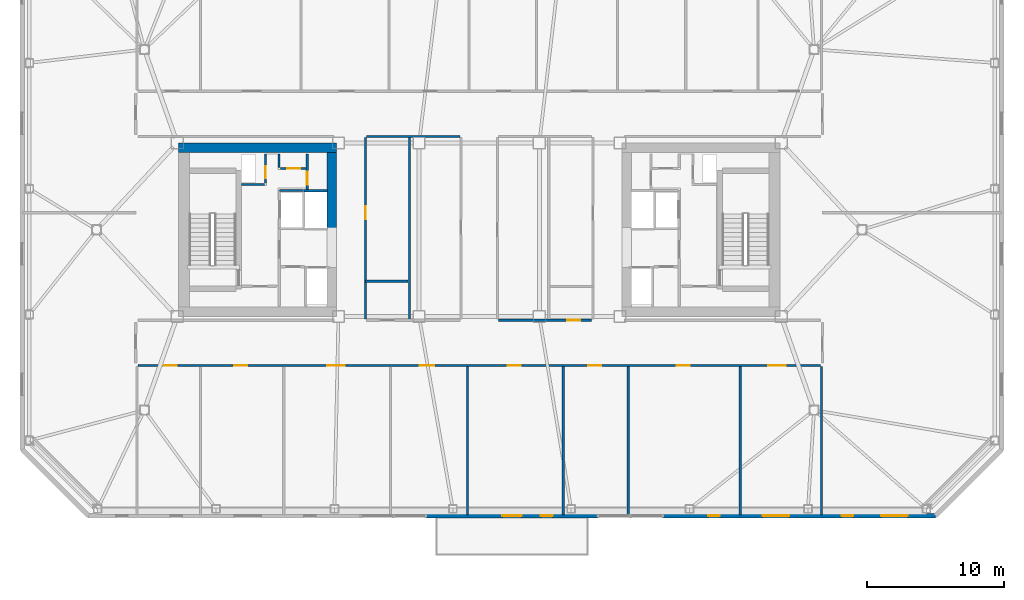
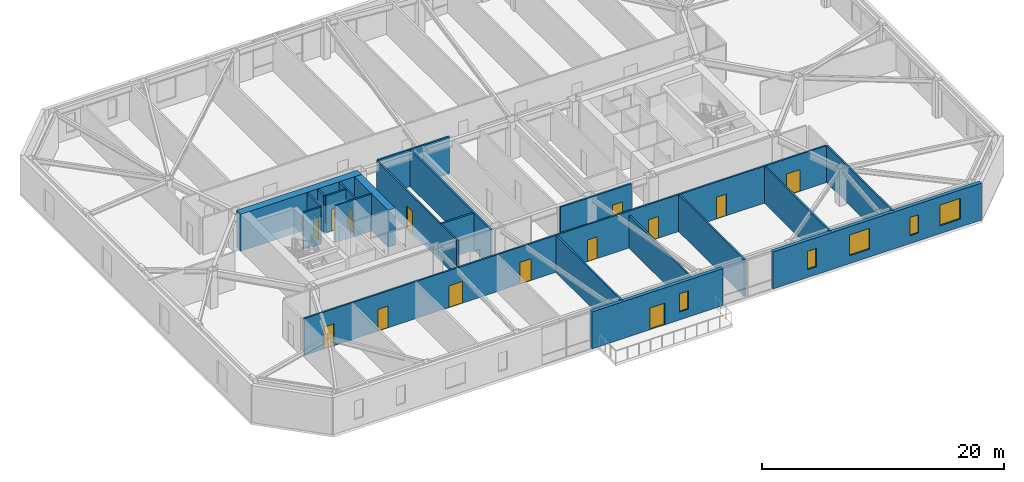
# One storey, part 11 of 19: 22 walls, 14 doors, 5 windows, 19 openings.
"""IFC4 building model written with IfcOpenShell, lengths in metres."""

from ifc_helpers import new_model, si_unit, direction, frame, frame_2d, origin, place, context, subcontext, project, spatial, rectangle, extrude, material, layer, layer_set, type_object, element, fill, save


model = new_model("IFC4")

# Units and contexts
model_context = context("Model", 3, precision=1e-05, world=origin(), true_north=direction((0.0, 1.0)))
body_context = subcontext(model_context, "Body", "Model", "MODEL_VIEW")
ifc_project = project(units=[si_unit("LENGTHUNIT", "METRE"), si_unit("AREAUNIT", "SQUARE_METRE"), si_unit("VOLUMEUNIT", "CUBIC_METRE"), si_unit("PLANEANGLEUNIT", "RADIAN"), si_unit("MASSUNIT", "GRAM", prefix="KILO")], contexts=[model_context])

# Site, building, storey
site_placement = place(None, origin())
site = spatial("IfcSite", under=ifc_project, at=site_placement, CompositionType="ELEMENT")
building_placement = place(site_placement, origin())
building = spatial("IfcBuilding", under=site, at=building_placement, Name="Tavrogorsk Clinical Tower", CompositionType="ELEMENT")
storey_placement = place(building_placement, frame((0.0, 0.0, 188.199951171875)))
storey = spatial("IfcBuildingStorey", under=building, at=storey_placement, Name="L43", CompositionType="ELEMENT", Elevation=188.199951171875)

# Wall, opening, door
ifc_material_1 = material(Name="Lightweight concrete blockwork B15", Category="masonry")
ifc_layer_1 = layer(ifc_material_1, 0.159912109375)
ifc_layer_set_1 = layer_set([ifc_layer_1], Name="Lightweight concrete blockwork B15")
wall_type_1 = type_object("IfcWallType", Name="PartitionWall_160", PredefinedType="PARTITIONING", material=ifc_layer_set_1)
wall_1_placement = place(storey_placement, frame((-12.580078125, 2.9599609375, 0.0), z_axis=(0.0, 0.0, 1.0), x_axis=(0.0, 1.0, 0.0)))
wall_1 = element("IfcWall", 1, at=wall_1_placement, inside=storey, type_object=wall_type_1, Name="L43 Core West Linen Closet Wall", PredefinedType="PARTITIONING", context=body_context, shape_type="SweptSolid", body=[
    extrude(rectangle(XDim=2.60009765625, YDim=0.159912109375, at=frame_2d((1.300048828125, 0.0))), origin(), (0.0, 0.0, 1.0), 3.739990234375),
])
opening_1_placement = place(wall_1_placement, frame((0.35009765625, 0.0, 0.0)))
opening_1 = element("IfcOpeningElement", 2, at=opening_1_placement, cuts=wall_1, Name="Opening ID-02", PredefinedType="OPENING", context=body_context, shape_type="SweptSolid", body=[
    extrude(rectangle(XDim=0.949951171875, YDim=2.199951171875, at=frame_2d((0.47509765625, 1.10009765625))), frame((0.0, 0.08984375, 0.0), z_axis=(0.0, -1.0, 0.0), x_axis=(1.0, 0.0, 0.0)), (0.0, 0.0, 1.0), 0.179931640625),
])
ifc_material_2 = material(Name="Laminated timber leaf on aluminium frame", Category="wood")
door_type_1 = type_object("IfcDoorType", Name="InteriorDoor_ID02_950", OperationType="NOTDEFINED", PredefinedType="DOOR", material=ifc_material_2)
door_1_placement = place(opening_1_placement, origin())
door_1 = element("IfcDoor", 3, at=door_1_placement, inside=storey, type_object=door_type_1, Name="L43 Core West Linen Closet Door", OperationType="SINGLE_SWING_RIGHT", OverallHeight=2.199951171875, OverallWidth=0.949951171875, PredefinedType="DOOR", context=body_context, shape_type="SweptSolid", body=[
    extrude(rectangle(XDim=0.949951171875, YDim=2.199951171875, at=frame_2d((0.47509765625, 1.10009765625))), frame((0.0, 0.02490234375, 0.0), z_axis=(0.0, -1.0, 0.0), x_axis=(1.0, 0.0, 0.0)), (0.0, 0.0, 1.0), 0.050048828125),
])
fill(opening_1, door_1)

wall_2_placement = place(storey_placement, frame((-14.554931640625, 4.47998046875, 0.0), z_axis=(0.0, 0.0, 1.0), x_axis=(1.0, 0.0, 0.0)))
wall_2 = element("IfcWall", 4, at=wall_2_placement, inside=storey, type_object=wall_type_1, Name="L43 Core West Housekeeping South Wall", PredefinedType="PARTITIONING", context=body_context, shape_type="SweptSolid", body=[
    extrude(rectangle(XDim=1.889892578125, YDim=0.159912109375, at=frame_2d((0.94482421875, 0.0))), origin(), (0.0, 0.0, 1.0), 3.739990234375),
])
opening_2_placement = place(wall_2_placement, frame((0.5, 0.0, 0.0)))
opening_2 = element("IfcOpeningElement", 5, at=opening_2_placement, cuts=wall_2, Name="Opening ID-02", PredefinedType="OPENING", context=body_context, shape_type="SweptSolid", body=[
    extrude(rectangle(XDim=0.949951171875, YDim=2.199951171875, at=frame_2d((0.47509765625, 1.10009765625))), frame((0.0, 0.08984375, 0.0), z_axis=(0.0, -1.0, 0.0), x_axis=(1.0, 0.0, 0.0)), (0.0, 0.0, 1.0), 0.179931640625),
])
door_2_placement = place(opening_2_placement, origin())
door_2 = element("IfcDoor", 6, at=door_2_placement, inside=storey, type_object=door_type_1, Name="L43 Core West Housekeeping Closet Door", OperationType="SINGLE_SWING_LEFT", OverallHeight=2.199951171875, OverallWidth=0.949951171875, PredefinedType="DOOR", context=body_context, shape_type="SweptSolid", body=[
    extrude(rectangle(XDim=0.949951171875, YDim=2.199951171875, at=frame_2d((0.47509765625, 1.10009765625))), frame((0.0, 0.02490234375, 0.0), z_axis=(0.0, -1.0, 0.0), x_axis=(1.0, 0.0, 0.0)), (0.0, 0.0, 1.0), 0.050048828125),
])
fill(opening_2, door_2)

# Wall
wall_3_placement = place(storey_placement, frame((-14.639892578125, 4.56494140625, 0.0), z_axis=(0.0, 0.0, 1.0), x_axis=(0.0, 1.0, 0.0)))
element("IfcWall", 7, at=wall_3_placement, inside=storey, type_object=wall_type_1, Name="L43 Core West Housekeeping East Wall", PredefinedType="PARTITIONING", context=body_context, shape_type="SweptSolid", body=[
    extrude(rectangle(XDim=0.9951171875, YDim=0.159912109375, at=frame_2d((0.49755859375, 0.0))), origin(), (0.0, 0.0, 1.0), 3.739990234375),
])

# Wall, openings, doors
wall_4_placement = place(storey_placement, frame((24.965087890625, -9.929931640625, 0.0), z_axis=(0.0, 0.0, 1.0), x_axis=(-1.0, 0.0, 0.0)))
wall_4 = element("IfcWall", 8, at=wall_4_placement, inside=storey, type_object=wall_type_1, Name="L43 Corridor Partition 10", PredefinedType="PARTITIONING", context=body_context, shape_type="SweptSolid", body=[
    extrude(rectangle(XDim=49.93017578125, YDim=0.159912109375, at=frame_2d((24.965087890625, 0.0))), origin(), (0.0, 0.0, 1.0), 3.739990234375),
])
opening_3_placement = place(wall_4_placement, frame((47.10595703125, 0.0, 0.0)))
opening_3 = element("IfcOpeningElement", 9, at=opening_3_placement, cuts=wall_4, Name="Opening ID-02", PredefinedType="OPENING", context=body_context, shape_type="SweptSolid", body=[
    extrude(rectangle(XDim=0.949951171875, YDim=2.199951171875, at=frame_2d((0.47509765625, 1.10009765625))), frame((0.0, 0.08984375, 0.0), z_axis=(0.0, -1.0, 0.0), x_axis=(1.0, 0.0, 0.0)), (0.0, 0.0, 1.0), 0.179931640625),
])
opening_4_placement = place(wall_4_placement, frame((41.925048828125, 0.0, 0.0)))
opening_4 = element("IfcOpeningElement", 10, at=opening_4_placement, cuts=wall_4, Name="Opening ID-02", PredefinedType="OPENING", context=body_context, shape_type="SweptSolid", body=[
    extrude(rectangle(XDim=0.949951171875, YDim=2.199951171875, at=frame_2d((0.47509765625, 1.10009765625))), frame((0.0, 0.08984375, 0.0), z_axis=(0.0, -1.0, 0.0), x_axis=(1.0, 0.0, 0.0)), (0.0, 0.0, 1.0), 0.179931640625),
])
opening_5_placement = place(wall_4_placement, frame((34.800048828125, 0.0, 0.0)))
opening_5 = element("IfcOpeningElement", 11, at=opening_5_placement, cuts=wall_4, Name="Opening ID-01", PredefinedType="OPENING", context=body_context, shape_type="SweptSolid", body=[
    extrude(rectangle(XDim=1.300048828125, YDim=2.199951171875, at=frame_2d((0.64990234375, 1.10009765625))), frame((0.0, 0.08984375, 0.0), z_axis=(0.0, -1.0, 0.0), x_axis=(1.0, 0.0, 0.0)), (0.0, 0.0, 1.0), 0.179931640625),
])
opening_6_placement = place(wall_4_placement, frame((28.25, 0.0, 0.0)))
opening_6 = element("IfcOpeningElement", 12, at=opening_6_placement, cuts=wall_4, Name="Opening ID-04", PredefinedType="OPENING", context=body_context, shape_type="SweptSolid", body=[
    extrude(rectangle(XDim=1.050048828125, YDim=2.199951171875, at=frame_2d((0.52490234375, 1.10009765625))), frame((0.0, 0.08984375, 0.0), z_axis=(0.0, -1.0, 0.0), x_axis=(1.0, 0.0, 0.0)), (0.0, 0.0, 1.0), 0.179931640625),
])
opening_7_placement = place(wall_4_placement, frame((21.925048828125, 0.0, 0.0)))
opening_7 = element("IfcOpeningElement", 13, at=opening_7_placement, cuts=wall_4, Name="Opening ID-02", PredefinedType="OPENING", context=body_context, shape_type="SweptSolid", body=[
    extrude(rectangle(XDim=0.949951171875, YDim=2.199951171875, at=frame_2d((0.47509765625, 1.10009765625))), frame((0.0, 0.08984375, 0.0), z_axis=(0.0, -1.0, 0.0), x_axis=(1.0, 0.0, 0.0)), (0.0, 0.0, 1.0), 0.179931640625),
])
opening_8_placement = place(wall_4_placement, frame((16.050048828125, 0.0, 0.0)))
opening_8 = element("IfcOpeningElement", 14, at=opening_8_placement, cuts=wall_4, Name="Opening ID-02", PredefinedType="OPENING", context=body_context, shape_type="SweptSolid", body=[
    extrude(rectangle(XDim=0.949951171875, YDim=2.199951171875, at=frame_2d((0.47509765625, 1.10009765625))), frame((0.0, 0.08984375, 0.0), z_axis=(0.0, -1.0, 0.0), x_axis=(1.0, 0.0, 0.0)), (0.0, 0.0, 1.0), 0.179931640625),
])
opening_9_placement = place(wall_4_placement, frame((9.574951171875, 0.0, 0.0)))
opening_9 = element("IfcOpeningElement", 15, at=opening_9_placement, cuts=wall_4, Name="Opening ID-02", PredefinedType="OPENING", context=body_context, shape_type="SweptSolid", body=[
    extrude(rectangle(XDim=0.949951171875, YDim=2.199951171875, at=frame_2d((0.47509765625, 1.10009765625))), frame((0.0, 0.08984375, 0.0), z_axis=(0.0, -1.0, 0.0), x_axis=(1.0, 0.0, 0.0)), (0.0, 0.0, 1.0), 0.179931640625),
])
opening_10_placement = place(wall_4_placement, frame((2.51904296875, 0.0, 0.0)))
opening_10 = element("IfcOpeningElement", 16, at=opening_10_placement, cuts=wall_4, Name="Opening ID-01", PredefinedType="OPENING", context=body_context, shape_type="SweptSolid", body=[
    extrude(rectangle(XDim=1.300048828125, YDim=2.199951171875, at=frame_2d((0.64990234375, 1.10009765625))), frame((0.0, 0.08984375, 0.0), z_axis=(0.0, -1.0, 0.0), x_axis=(1.0, 0.0, 0.0)), (0.0, 0.0, 1.0), 0.179931640625),
])
ifc_material_3 = material(Name="Antibacterial HPL consultation door on aluminium frame", Category="aluminium")
door_type_2 = type_object("IfcDoorType", Name="ConsultDoor_ID04_1050", OperationType="NOTDEFINED", PredefinedType="DOOR", material=ifc_material_3)
door_3_placement = place(opening_6_placement, origin())
door_3 = element("IfcDoor", 17, at=door_3_placement, inside=storey, type_object=door_type_2, Name="L43 South Clean Medication & Prep Room 04 Door", OperationType="SINGLE_SWING_LEFT", OverallHeight=2.199951171875, OverallWidth=1.050048828125, PredefinedType="DOOR", context=body_context, shape_type="SweptSolid", body=[
    extrude(rectangle(XDim=1.050048828125, YDim=2.199951171875, at=frame_2d((0.52490234375, 1.10009765625))), frame((0.0, 0.02490234375, 0.0), z_axis=(0.0, -1.0, 0.0), x_axis=(1.0, 0.0, 0.0)), (0.0, 0.0, 1.0), 0.050048828125),
])
fill(opening_6, door_3)
door_4_placement = place(opening_3_placement, origin())
door_4 = element("IfcDoor", 18, at=door_4_placement, inside=storey, type_object=door_type_1, Name="L43 South Cardiology Diagnostics Room 01 Door", OperationType="SINGLE_SWING_RIGHT", OverallHeight=2.199951171875, OverallWidth=0.949951171875, PredefinedType="DOOR", context=body_context, shape_type="SweptSolid", body=[
    extrude(rectangle(XDim=0.949951171875, YDim=2.199951171875, at=frame_2d((0.47509765625, 1.10009765625))), frame((0.0, 0.02490234375, 0.0), z_axis=(0.0, -1.0, 0.0), x_axis=(1.0, 0.0, 0.0)), (0.0, 0.0, 1.0), 0.050048828125),
])
fill(opening_3, door_4)
door_5_placement = place(opening_4_placement, origin())
door_5 = element("IfcDoor", 19, at=door_5_placement, inside=storey, type_object=door_type_1, Name="L43 South Attending Physician Office 02 Door", OperationType="SINGLE_SWING_LEFT", OverallHeight=2.199951171875, OverallWidth=0.949951171875, PredefinedType="DOOR", context=body_context, shape_type="SweptSolid", body=[
    extrude(rectangle(XDim=0.949951171875, YDim=2.199951171875, at=frame_2d((0.47509765625, 1.10009765625))), frame((0.0, 0.02490234375, 0.0), z_axis=(0.0, -1.0, 0.0), x_axis=(1.0, 0.0, 0.0)), (0.0, 0.0, 1.0), 0.050048828125),
])
fill(opening_4, door_5)
door_6_placement = place(opening_7_placement, origin())
door_6 = element("IfcDoor", 20, at=door_6_placement, inside=storey, type_object=door_type_1, Name="L43 Terrace Recuperation Day Room & Lounge Door", OperationType="SINGLE_SWING_RIGHT", OverallHeight=2.199951171875, OverallWidth=0.949951171875, PredefinedType="DOOR", context=body_context, shape_type="SweptSolid", body=[
    extrude(rectangle(XDim=0.949951171875, YDim=2.199951171875, at=frame_2d((0.47509765625, 1.10009765625))), frame((0.0, 0.02490234375, 0.0), z_axis=(0.0, -1.0, 0.0), x_axis=(1.0, 0.0, 0.0)), (0.0, 0.0, 1.0), 0.050048828125),
])
fill(opening_7, door_6)
door_7_placement = place(opening_8_placement, origin())
door_7 = element("IfcDoor", 21, at=door_7_placement, inside=storey, type_object=door_type_1, Name="L43 South Cardiology Diagnostics Room 06 Door", OperationType="SINGLE_SWING_LEFT", OverallHeight=2.199951171875, OverallWidth=0.949951171875, PredefinedType="DOOR", context=body_context, shape_type="SweptSolid", body=[
    extrude(rectangle(XDim=0.949951171875, YDim=2.199951171875, at=frame_2d((0.47509765625, 1.10009765625))), frame((0.0, 0.02490234375, 0.0), z_axis=(0.0, -1.0, 0.0), x_axis=(1.0, 0.0, 0.0)), (0.0, 0.0, 1.0), 0.050048828125),
])
fill(opening_8, door_7)
door_8_placement = place(opening_9_placement, origin())
door_8 = element("IfcDoor", 22, at=door_8_placement, inside=storey, type_object=door_type_1, Name="L43 South Attending Physician Office 07 Door", OperationType="SINGLE_SWING_RIGHT", OverallHeight=2.199951171875, OverallWidth=0.949951171875, PredefinedType="DOOR", context=body_context, shape_type="SweptSolid", body=[
    extrude(rectangle(XDim=0.949951171875, YDim=2.199951171875, at=frame_2d((0.47509765625, 1.10009765625))), frame((0.0, 0.02490234375, 0.0), z_axis=(0.0, -1.0, 0.0), x_axis=(1.0, 0.0, 0.0)), (0.0, 0.0, 1.0), 0.050048828125),
])
fill(opening_9, door_8)
ifc_material_4 = material(Name="Antibacterial HPL medical leaf on aluminium frame", Category="aluminium")
door_type_3 = type_object("IfcDoorType", Name="WardBedDoor_ID01_1300", OperationType="NOTDEFINED", PredefinedType="DOOR", material=ifc_material_4)
door_9_placement = place(opening_5_placement, origin())
door_9 = element("IfcDoor", 23, at=door_9_placement, inside=storey, type_object=door_type_3, Name="L43 South Acute Medical Ward 03 Door", OperationType="SINGLE_SWING_RIGHT", OverallHeight=2.199951171875, OverallWidth=1.300048828125, PredefinedType="DOOR", context=body_context, shape_type="SweptSolid", body=[
    extrude(rectangle(XDim=1.300048828125, YDim=2.199951171875, at=frame_2d((0.64990234375, 1.10009765625))), frame((0.0, 0.02490234375, 0.0), z_axis=(0.0, -1.0, 0.0), x_axis=(1.0, 0.0, 0.0)), (0.0, 0.0, 1.0), 0.050048828125),
])
fill(opening_5, door_9)
door_10_placement = place(opening_10_placement, origin())
door_10 = element("IfcDoor", 24, at=door_10_placement, inside=storey, type_object=door_type_3, Name="L43 South Acute Medical Ward 08 Door", OperationType="SINGLE_SWING_LEFT", OverallHeight=2.199951171875, OverallWidth=1.300048828125, PredefinedType="DOOR", context=body_context, shape_type="SweptSolid", body=[
    extrude(rectangle(XDim=1.300048828125, YDim=2.199951171875, at=frame_2d((0.64990234375, 1.10009765625))), frame((0.0, 0.02490234375, 0.0), z_axis=(0.0, -1.0, 0.0), x_axis=(1.0, 0.0, 0.0)), (0.0, 0.0, 1.0), 0.050048828125),
])
fill(opening_10, door_10)

# Wall, opening, door
wall_5_placement = place(storey_placement, frame((1.4150390625, -6.6201171875, 0.0), z_axis=(0.0, 0.0, 1.0), x_axis=(1.0, 0.0, 0.0)))
wall_5 = element("IfcWall", 25, at=wall_5_placement, inside=storey, type_object=wall_type_1, Name="L43 Corridor Partition 13", PredefinedType="PARTITIONING", context=body_context, shape_type="SweptSolid", body=[
    extrude(rectangle(XDim=6.820068359375, YDim=0.159912109375, at=frame_2d((3.41015625, 0.0))), origin(), (0.0, 0.0, 1.0), 3.739990234375),
])
opening_11_placement = place(wall_5_placement, frame((5.010986328125, 0.0, 0.0)))
opening_11 = element("IfcOpeningElement", 26, at=opening_11_placement, cuts=wall_5, Name="Opening ID-02", PredefinedType="OPENING", context=body_context, shape_type="SweptSolid", body=[
    extrude(rectangle(XDim=0.949951171875, YDim=2.199951171875, at=frame_2d((0.47509765625, 1.10009765625))), frame((0.0, 0.08984375, 0.0), z_axis=(0.0, -1.0, 0.0), x_axis=(1.0, 0.0, 0.0)), (0.0, 0.0, 1.0), 0.179931640625),
])
door_11_placement = place(opening_11_placement, origin())
door_11 = element("IfcDoor", 27, at=door_11_placement, inside=storey, type_object=door_type_1, Name="L43 Staff & Visitor Accessible WC Door", OperationType="SINGLE_SWING_RIGHT", OverallHeight=2.199951171875, OverallWidth=0.949951171875, PredefinedType="DOOR", context=body_context, shape_type="SweptSolid", body=[
    extrude(rectangle(XDim=0.949951171875, YDim=2.199951171875, at=frame_2d((0.47509765625, 1.10009765625))), frame((0.0, 0.02490234375, 0.0), z_axis=(0.0, -1.0, 0.0), x_axis=(1.0, 0.0, 0.0)), (0.0, 0.0, 1.0), 0.050048828125),
])
fill(opening_11, door_11)

# Wall
wall_6_placement = place(storey_placement, frame((-1.4150390625, 6.820068359375, 0.0), z_axis=(0.0, 0.0, 1.0), x_axis=(-1.0, 0.0, 0.0)))
element("IfcWall", 28, at=wall_6_placement, inside=storey, type_object=wall_type_1, Name="L43 Corridor Partition 16", PredefinedType="PARTITIONING", context=body_context, shape_type="SweptSolid", body=[
    extrude(rectangle(XDim=6.820068359375, YDim=0.159912109375, at=frame_2d((3.41015625, 0.0))), origin(), (0.0, 0.0, 1.0), 3.739990234375),
])

# Wall, opening, door
wall_7_placement = place(storey_placement, frame((-8.320068359375, 6.735107421875, 0.0), z_axis=(0.0, 0.0, 1.0), x_axis=(0.0, -1.0, 0.0)))
wall_7 = element("IfcWall", 29, at=wall_7_placement, inside=storey, type_object=wall_type_1, Name="L43 Corridor Partition 17", PredefinedType="PARTITIONING", context=body_context, shape_type="SweptSolid", body=[
    extrude(rectangle(XDim=13.27001953125, YDim=0.159912109375, at=frame_2d((6.635009765625, 0.0))), origin(), (0.0, 0.0, 1.0), 3.739990234375),
])
opening_12_placement = place(wall_7_placement, frame((5.004150390625, 0.0, 0.0)))
opening_12 = element("IfcOpeningElement", 30, at=opening_12_placement, cuts=wall_7, Name="Opening ID-02", PredefinedType="OPENING", context=body_context, shape_type="SweptSolid", body=[
    extrude(rectangle(XDim=0.949951171875, YDim=2.199951171875, at=frame_2d((0.47509765625, 1.10009765625))), frame((0.0, 0.08984375, 0.0), z_axis=(0.0, -1.0, 0.0), x_axis=(1.0, 0.0, 0.0)), (0.0, 0.0, 1.0), 0.179931640625),
])
door_12_placement = place(opening_12_placement, origin())
door_12 = element("IfcDoor", 31, at=door_12_placement, inside=storey, type_object=door_type_1, Name="L43 Ward Nourishment Pantry Door", OperationType="SINGLE_SWING_LEFT", OverallHeight=2.199951171875, OverallWidth=0.949951171875, PredefinedType="DOOR", context=body_context, shape_type="SweptSolid", body=[
    extrude(rectangle(XDim=0.949951171875, YDim=2.199951171875, at=frame_2d((0.47509765625, 1.10009765625))), frame((0.0, 0.02490234375, 0.0), z_axis=(0.0, -1.0, 0.0), x_axis=(1.0, 0.0, 0.0)), (0.0, 0.0, 1.0), 0.050048828125),
])
fill(opening_12, door_12)

# Walls
for number, where, z_axis, x_axis, name in (
    (32, (25.050048828125, -20.860107421875, 0.0), (0.0, 0.0, 1.0), (0.0, 1.0, 0.0), "L43 SE Wing Closure Partition"),
    (33, (-0.85009765625, -20.860107421875, 0.0), (0.0, 0.0, 1.0), (0.0, 1.0, 0.0), "L43 South Room Partition 4"),
):
    element("IfcWall", number, at=place(storey_placement, frame(where, z_axis=z_axis, x_axis=x_axis)), inside=storey, type_object=wall_type_1, Name=name, PredefinedType="PARTITIONING", context=body_context, shape_type="SweptSolid", body=[
        extrude(rectangle(XDim=10.84521484375, YDim=0.159912109375, at=frame_2d((5.422607421875, 0.0))), origin(), (0.0, 0.0, 1.0), 3.739990234375),
    ])
wall_8_placement = place(storey_placement, frame((6.14990234375, -20.860107421875, 0.0), z_axis=(0.0, 0.0, 1.0), x_axis=(0.0, 1.0, 0.0)))
element("IfcWall", 34, at=wall_8_placement, inside=storey, type_object=wall_type_1, Name="L43 South Room Partition 5", PredefinedType="PARTITIONING", context=body_context, shape_type="SweptSolid", body=[
    extrude(rectangle(XDim=10.84521484375, YDim=0.159912109375, at=frame_2d((5.422607421875, 0.0))), origin(), (0.0, 0.0, 1.0), 3.28515625),
])
for number, where, z_axis, x_axis, name in (
    (35, (10.89990234375, -20.860107421875, 0.0), (0.0, 0.0, 1.0), (0.0, 1.0, 0.0), "L43 South Room Partition 6"),
    (36, (19.10009765625, -20.860107421875, 0.0), (0.0, 0.0, 1.0), (0.0, 1.0, 0.0), "L43 South Room Partition 7"),
):
    element("IfcWall", number, at=place(storey_placement, frame(where, z_axis=z_axis, x_axis=x_axis)), inside=storey, type_object=wall_type_1, Name=name, PredefinedType="PARTITIONING", context=body_context, shape_type="SweptSolid", body=[
        extrude(rectangle(XDim=10.84521484375, YDim=0.159912109375, at=frame_2d((5.422607421875, 0.0))), origin(), (0.0, 0.0, 1.0), 3.739990234375),
    ])
ifc_material_5 = material(Name="Lightweight concrete blockwork B20", Category="masonry")
ifc_layer_2 = layer(ifc_material_5, 0.179931640625)
ifc_layer_set_2 = layer_set([ifc_layer_2], Name="Lightweight concrete blockwork B20")
wall_type_2 = type_object("IfcWallType", Name="PartitionWall_180", PredefinedType="PARTITIONING", material=ifc_layer_set_2)
wall_9_placement = place(storey_placement, frame((-5.10009765625, -6.614990234375, 0.0), z_axis=(0.0, 0.0, 1.0), x_axis=(0.0, 1.0, 0.0)))
element("IfcWall", 37, at=wall_9_placement, inside=storey, type_object=wall_type_2, Name="L43 Central Spine Partition 1", PredefinedType="PARTITIONING", context=body_context, shape_type="SweptSolid", body=[
    extrude(rectangle(XDim=13.429931640625, YDim=0.179931640625, at=frame_2d((6.71484375, 0.0))), origin(), (0.0, 0.0, 1.0), 3.739990234375),
])
wall_10_placement = place(storey_placement, frame((-8.31494140625, -3.75, 0.0), z_axis=(0.0, 0.0, 1.0), x_axis=(1.0, 0.0, 0.0)))
element("IfcWall", 38, at=wall_10_placement, inside=storey, type_object=wall_type_2, Name="L43 Central Spine Partition 3", PredefinedType="PARTITIONING", context=body_context, shape_type="SweptSolid", body=[
    extrude(rectangle(XDim=3.119873046875, YDim=0.179931640625, at=frame_2d((1.56005859375, 0.0))), origin(), (0.0, 0.0, 1.0), 3.739990234375),
])

# Wall, openings, window, door
ifc_material_6 = material(Name="Precast concrete B45 with limestone cladding", Category="masonry")
ifc_layer_3 = layer(ifc_material_6, 0.340087890625)
ifc_layer_set_3 = layer_set([ifc_layer_3], Name="Precast concrete B45 with limestone cladding")
wall_type_3 = type_object("IfcWallType", Name="PrecastLimestoneWall_340", PredefinedType="STANDARD", material=ifc_layer_set_3)
wall_11_placement = place(storey_placement, frame((-3.86279296875, -20.929931640625, 0.0), z_axis=(0.0, 0.0, 1.0), x_axis=(1.0, 0.0, 0.0)))
wall_11 = element("IfcWall", 39, at=wall_11_placement, inside=storey, type_object=wall_type_3, Name="L43 S Limestone Facade Wall 2", PredefinedType="STANDARD", context=body_context, shape_type="SweptSolid", body=[
    extrude(rectangle(XDim=12.525634765625, YDim=0.340087890625, at=frame_2d((6.2626953125, 0.0))), origin(), (0.0, 0.0, 1.0), 3.739990234375),
])
opening_13_placement = place(wall_11_placement, frame((5.56298828125, 0.0, 0.0)))
opening_13 = element("IfcOpeningElement", 40, at=opening_13_placement, cuts=wall_11, Name="Opening ED-03", PredefinedType="OPENING", context=body_context, shape_type="SweptSolid", body=[
    extrude(rectangle(XDim=1.39990234375, YDim=2.199951171875, at=frame_2d((0.699951171875, 1.10009765625))), frame((0.0, 0.179931640625, 0.0), z_axis=(0.0, -1.0, 0.0), x_axis=(1.0, 0.0, 0.0)), (0.0, 0.0, 1.0), 0.360107421875),
])
opening_14_placement = place(wall_11_placement, frame((8.38037109375, 0.0, 0.800048828125)))
opening_14 = element("IfcOpeningElement", 41, at=opening_14_placement, cuts=wall_11, Name="Opening WN-06", PredefinedType="OPENING", context=body_context, shape_type="SweptSolid", body=[
    extrude(rectangle(XDim=0.85009765625, YDim=1.85009765625, at=frame_2d((0.425048828125, 0.925048828125))), frame((0.0, 0.179931640625, 0.0), z_axis=(0.0, -1.0, 0.0), x_axis=(1.0, 0.0, 0.0)), (0.0, 0.0, 1.0), 0.360107421875),
])
ifc_material_7 = material(Name="Thermally broken aluminium frame and triple IGU", Category="aluminium")
window_type_1 = type_object("IfcWindowType", Name="MullionSubWin_850x1850", PartitioningType="SINGLE_PANEL", PredefinedType="WINDOW", material=ifc_material_7)
window_1_placement = place(opening_14_placement, origin())
window_1 = element("IfcWindow", 42, at=window_1_placement, inside=storey, type_object=window_type_1, Name="L43 S Mullion Split Window 06B", OverallHeight=1.85009765625, OverallWidth=0.85009765625, PartitioningType="SINGLE_PANEL", PredefinedType="WINDOW", context=body_context, shape_type="SweptSolid", body=[
    extrude(rectangle(XDim=0.85009765625, YDim=1.85009765625, at=frame_2d((0.425048828125, 0.925048828125))), frame((0.0, 0.030029296875, 0.0), z_axis=(0.0, -1.0, 0.0), x_axis=(1.0, 0.0, 0.0)), (0.0, 0.0, 1.0), 0.06005859375),
])
fill(opening_14, window_1)
ifc_material_8 = material(Name="Thermally broken aluminium and laminated safety glass", Category="aluminium")
door_type_4 = type_object("IfcDoorType", Name="TerraceGlassDoor_ED03_1400", OperationType="DOUBLE_SWING_LEFT", PredefinedType="DOOR", material=ifc_material_8)
door_13_placement = place(opening_13_placement, origin())
door_13 = element("IfcDoor", 43, at=door_13_placement, inside=storey, type_object=door_type_4, Name="L43 Spiralling Recuperation Terrace Door ED-03", OperationType="DOUBLE_SWING_LEFT", OverallHeight=2.199951171875, OverallWidth=1.39990234375, PredefinedType="DOOR", context=body_context, shape_type="SweptSolid", body=[
    extrude(rectangle(XDim=1.39990234375, YDim=2.199951171875, at=frame_2d((0.699951171875, 1.10009765625))), frame((0.0, 0.02490234375, 0.0), z_axis=(0.0, -1.0, 0.0), x_axis=(1.0, 0.0, 0.0)), (0.0, 0.0, 1.0), 0.050048828125),
])
fill(opening_13, door_13)

# Wall, openings, windows
wall_12_placement = place(storey_placement, frame((13.462890625, -20.929931640625, 0.0), z_axis=(0.0, 0.0, 1.0), x_axis=(1.0, 0.0, 0.0)))
wall_12 = element("IfcWall", 44, at=wall_12_placement, inside=storey, type_object=wall_type_3, Name="L43 S Limestone Facade Wall 3", PredefinedType="STANDARD", context=body_context, shape_type="SweptSolid", body=[
    extrude(rectangle(XDim=19.93701171875, YDim=0.340087890625, at=frame_2d((9.968505859375, 0.0))), origin(), (0.0, 0.0, 1.0), 3.739990234375),
])
opening_15_placement = place(wall_12_placement, frame((3.29541015625, 0.0, 0.800048828125)))
opening_15 = element("IfcOpeningElement", 45, at=opening_15_placement, cuts=wall_12, Name="Opening WN-06", PredefinedType="OPENING", context=body_context, shape_type="SweptSolid", body=[
    extrude(rectangle(XDim=0.85009765625, YDim=1.85009765625, at=frame_2d((0.425048828125, 0.925048828125))), frame((0.0, 0.179931640625, 0.0), z_axis=(0.0, -1.0, 0.0), x_axis=(1.0, 0.0, 0.0)), (0.0, 0.0, 1.0), 0.360107421875),
])
opening_16_placement = place(wall_12_placement, frame((7.2802734375, 0.0, 0.800048828125)))
opening_16 = element("IfcOpeningElement", 46, at=opening_16_placement, cuts=wall_12, Name="Opening WN-13", PredefinedType="OPENING", context=body_context, shape_type="SweptSolid", body=[
    extrude(rectangle(XDim=1.949951171875, YDim=2.10009765625, at=frame_2d((0.97509765625, 1.050048828125))), frame((0.0, 0.179931640625, 0.0), z_axis=(0.0, -1.0, 0.0), x_axis=(1.0, 0.0, 0.0)), (0.0, 0.0, 1.0), 0.360107421875),
])
opening_17_placement = place(wall_12_placement, frame((13.058349609375, 0.0, 0.800048828125)))
opening_17 = element("IfcOpeningElement", 47, at=opening_17_placement, cuts=wall_12, Name="Opening WN-06", PredefinedType="OPENING", context=body_context, shape_type="SweptSolid", body=[
    extrude(rectangle(XDim=0.85009765625, YDim=1.85009765625, at=frame_2d((0.425048828125, 0.925048828125))), frame((0.0, 0.179931640625, 0.0), z_axis=(0.0, -1.0, 0.0), x_axis=(1.0, 0.0, 0.0)), (0.0, 0.0, 1.0), 0.360107421875),
])
opening_18_placement = place(wall_12_placement, frame((15.943115234375, 0.0, 0.800048828125)))
opening_18 = element("IfcOpeningElement", 48, at=opening_18_placement, cuts=wall_12, Name="Opening WN-13", PredefinedType="OPENING", context=body_context, shape_type="SweptSolid", body=[
    extrude(rectangle(XDim=1.949951171875, YDim=2.10009765625, at=frame_2d((0.97509765625, 1.050048828125))), frame((0.0, 0.179931640625, 0.0), z_axis=(0.0, -1.0, 0.0), x_axis=(1.0, 0.0, 0.0)), (0.0, 0.0, 1.0), 0.360107421875),
])
ifc_material_9 = material(Name="Thermally broken aluminium frame and triple IGU", Category="aluminium")
window_type_2 = type_object("IfcWindowType", Name="ExamRoomWin_1950x2100", PartitioningType="DOUBLE_PANEL_VERTICAL", PredefinedType="WINDOW", material=ifc_material_9)
window_2_placement = place(opening_16_placement, origin())
window_2 = element("IfcWindow", 49, at=window_2_placement, inside=storey, type_object=window_type_2, Name="L43 S Chicago Window 08", OverallHeight=2.10009765625, OverallWidth=1.949951171875, PartitioningType="SINGLE_PANEL", PredefinedType="WINDOW", context=body_context, shape_type="SweptSolid", body=[
    extrude(rectangle(XDim=1.949951171875, YDim=2.10009765625, at=frame_2d((0.97509765625, 1.050048828125))), frame((0.0, 0.030029296875, 0.0), z_axis=(0.0, -1.0, 0.0), x_axis=(1.0, 0.0, 0.0)), (0.0, 0.0, 1.0), 0.06005859375),
])
fill(opening_16, window_2)
window_3_placement = place(opening_18_placement, origin())
window_3 = element("IfcWindow", 50, at=window_3_placement, inside=storey, type_object=window_type_2, Name="L43 S Chicago Window 10", OverallHeight=2.10009765625, OverallWidth=1.949951171875, PartitioningType="SINGLE_PANEL", PredefinedType="WINDOW", context=body_context, shape_type="SweptSolid", body=[
    extrude(rectangle(XDim=1.949951171875, YDim=2.10009765625, at=frame_2d((0.97509765625, 1.050048828125))), frame((0.0, 0.030029296875, 0.0), z_axis=(0.0, -1.0, 0.0), x_axis=(1.0, 0.0, 0.0)), (0.0, 0.0, 1.0), 0.06005859375),
])
fill(opening_18, window_3)
window_4_placement = place(opening_15_placement, origin())
window_4 = element("IfcWindow", 51, at=window_4_placement, inside=storey, type_object=window_type_1, Name="L43 S Mullion Split Window 07A", OverallHeight=1.85009765625, OverallWidth=0.85009765625, PartitioningType="SINGLE_PANEL", PredefinedType="WINDOW", context=body_context, shape_type="SweptSolid", body=[
    extrude(rectangle(XDim=0.85009765625, YDim=1.85009765625, at=frame_2d((0.425048828125, 0.925048828125))), frame((0.0, 0.030029296875, 0.0), z_axis=(0.0, -1.0, 0.0), x_axis=(1.0, 0.0, 0.0)), (0.0, 0.0, 1.0), 0.06005859375),
])
fill(opening_15, window_4)
window_5_placement = place(opening_17_placement, origin())
window_5 = element("IfcWindow", 52, at=window_5_placement, inside=storey, type_object=window_type_1, Name="L43 S Mullion Split Window 09B", OverallHeight=1.85009765625, OverallWidth=0.85009765625, PartitioningType="SINGLE_PANEL", PredefinedType="WINDOW", context=body_context, shape_type="SweptSolid", body=[
    extrude(rectangle(XDim=0.85009765625, YDim=1.85009765625, at=frame_2d((0.425048828125, 0.925048828125))), frame((0.0, 0.030029296875, 0.0), z_axis=(0.0, -1.0, 0.0), x_axis=(1.0, 0.0, 0.0)), (0.0, 0.0, 1.0), 0.06005859375),
])
fill(opening_17, window_5)

# Walls
ifc_material_10 = material(Name="Lightweight concrete blockwork B25", Category="masonry")
ifc_layer_4 = layer(ifc_material_10, 0.159912109375)
ifc_layer_set_4 = layer_set([ifc_layer_4], Name="Lightweight concrete blockwork B25")
wall_type_4 = type_object("IfcWallType", Name="ShaftWall_160", PredefinedType="PARTITIONING", material=ifc_layer_set_4)
wall_13_placement = place(storey_placement, frame((-14.60009765625, 2.8798828125, 0.0), z_axis=(0.0, 0.0, 1.0), x_axis=(1.0, 0.0, 0.0)))
element("IfcWall", 53, at=wall_13_placement, inside=storey, type_object=wall_type_4, Name="L43 FFL-W Shaft North Wall", PredefinedType="PARTITIONING", context=body_context, shape_type="SweptSolid", body=[
    extrude(rectangle(XDim=1.760009765625, YDim=0.159912109375, at=frame_2d((0.8798828125, 0.0))), origin(), (0.0, 0.0, 1.0), 3.739990234375),
])
wall_14_placement = place(storey_placement, frame((-12.820068359375, 2.860107421875, 0.0), z_axis=(0.0, 0.0, 1.0), x_axis=(1.0, 0.0, 0.0)))
element("IfcWall", 54, at=wall_14_placement, inside=storey, type_object=wall_type_4, Name="L43 LP-H1 High-Zone Lift Rear Wall", PredefinedType="PARTITIONING", context=body_context, shape_type="SweptSolid", body=[
    extrude(rectangle(XDim=1.719970703125, YDim=0.159912109375, at=frame_2d((0.85986328125, 0.0))), origin(), (0.0, 0.0, 1.0), 3.739990234375),
])

# Wall, opening, door
wall_15_placement = place(storey_placement, frame((-15.639892578125, 3.405029296875, 0.0), z_axis=(0.0, 0.0, 1.0), x_axis=(0.0, 1.0, 0.0)))
wall_15 = element("IfcWall", 55, at=wall_15_placement, inside=storey, type_object=wall_type_4, Name="L43 Core West Riser West Wall", PredefinedType="PARTITIONING", context=body_context, shape_type="SweptSolid", body=[
    extrude(rectangle(XDim=2.155029296875, YDim=0.159912109375, at=frame_2d((1.07763671875, 0.0))), origin(), (0.0, 0.0, 1.0), 3.739990234375),
])
opening_19_placement = place(wall_15_placement, frame((0.35009765625, 0.0, 0.0)))
opening_19 = element("IfcOpeningElement", 56, at=opening_19_placement, cuts=wall_15, Name="Opening FD-02", PredefinedType="OPENING", context=body_context, shape_type="SweptSolid", body=[
    extrude(rectangle(XDim=0.89990234375, YDim=2.199951171875, at=frame_2d((0.449951171875, 1.10009765625))), frame((0.0, 0.08984375, 0.0), z_axis=(0.0, -1.0, 0.0), x_axis=(1.0, 0.0, 0.0)), (0.0, 0.0, 1.0), 0.179931640625),
])
ifc_material_11 = material(Name="Galvanised steel fire-rated door assembly", Category="steel")
door_type_5 = type_object("IfcDoorType", Name="FireDoor_FD02_900", OperationType="NOTDEFINED", PredefinedType="DOOR", material=ifc_material_11)
door_14_placement = place(opening_19_placement, origin())
door_14 = element("IfcDoor", 57, at=door_14_placement, inside=storey, type_object=door_type_5, Name="L43 Core West Electrical Riser Access Door", OperationType="SINGLE_SWING_LEFT", OverallHeight=2.199951171875, OverallWidth=0.89990234375, PredefinedType="DOOR", context=body_context, shape_type="SweptSolid", body=[
    extrude(rectangle(XDim=0.89990234375, YDim=2.199951171875, at=frame_2d((0.449951171875, 1.10009765625))), frame((0.0, 0.02490234375, 0.0), z_axis=(0.0, -1.0, 0.0), x_axis=(1.0, 0.0, 0.0)), (0.0, 0.0, 1.0), 0.050048828125),
])
fill(opening_19, door_14)

# Walls
wall_16_placement = place(storey_placement, frame((-17.3798828125, 3.320068359375, 0.0), z_axis=(0.0, 0.0, 1.0), x_axis=(1.0, 0.0, 0.0)))
element("IfcWall", 58, at=wall_16_placement, inside=storey, type_object=wall_type_4, Name="L43 Core West Riser South Wall", PredefinedType="PARTITIONING", context=body_context, shape_type="SweptSolid", body=[
    extrude(rectangle(XDim=1.65478515625, YDim=0.159912109375, at=frame_2d((0.827392578125, 0.0))), origin(), (0.0, 0.0, 1.0), 3.739990234375),
])
ifc_material_12 = material(Name="Concrete B80", Category="concrete")
ifc_layer_5 = layer(ifc_material_12, 0.699951171875)
ifc_layer_set_5 = layer_set([ifc_layer_5], Name="Concrete B80")
wall_type_5 = type_object("IfcWallType", Name="ShearWall_700", PredefinedType="SHEAR", material=ifc_layer_set_5)
wall_17_placement = place(storey_placement, frame((-22.0, 6.0, 0.0), z_axis=(0.0, 0.0, 1.0), x_axis=(1.0, 0.0, 0.0)))
element("IfcWall", 59, at=wall_17_placement, inside=storey, type_object=wall_type_5, Name="L43 Core West North Shear Wall", PredefinedType="SHEAR", context=body_context, shape_type="SweptSolid", body=[
    extrude(rectangle(XDim=11.550048828125, YDim=0.699951171875, at=frame_2d((5.77490234375, 0.0))), origin(), (0.0, 0.0, 1.0), 3.739990234375),
])
wall_18_placement = place(storey_placement, frame((-10.800048828125, 0.050048828125, 0.0), z_axis=(0.0, 0.0, 1.0), x_axis=(0.0, 1.0, 0.0)))
element("IfcWall", 60, at=wall_18_placement, inside=storey, type_object=wall_type_5, Name="L43 Core West Inner North Pier", PredefinedType="SHEAR", context=body_context, shape_type="SweptSolid", body=[
    extrude(rectangle(XDim=5.599853515625, YDim=0.699951171875, at=frame_2d((2.7998046875, 0.0))), origin(), (0.0, 0.0, 1.0), 3.739990234375),
])

save(model, "model.ifc")
